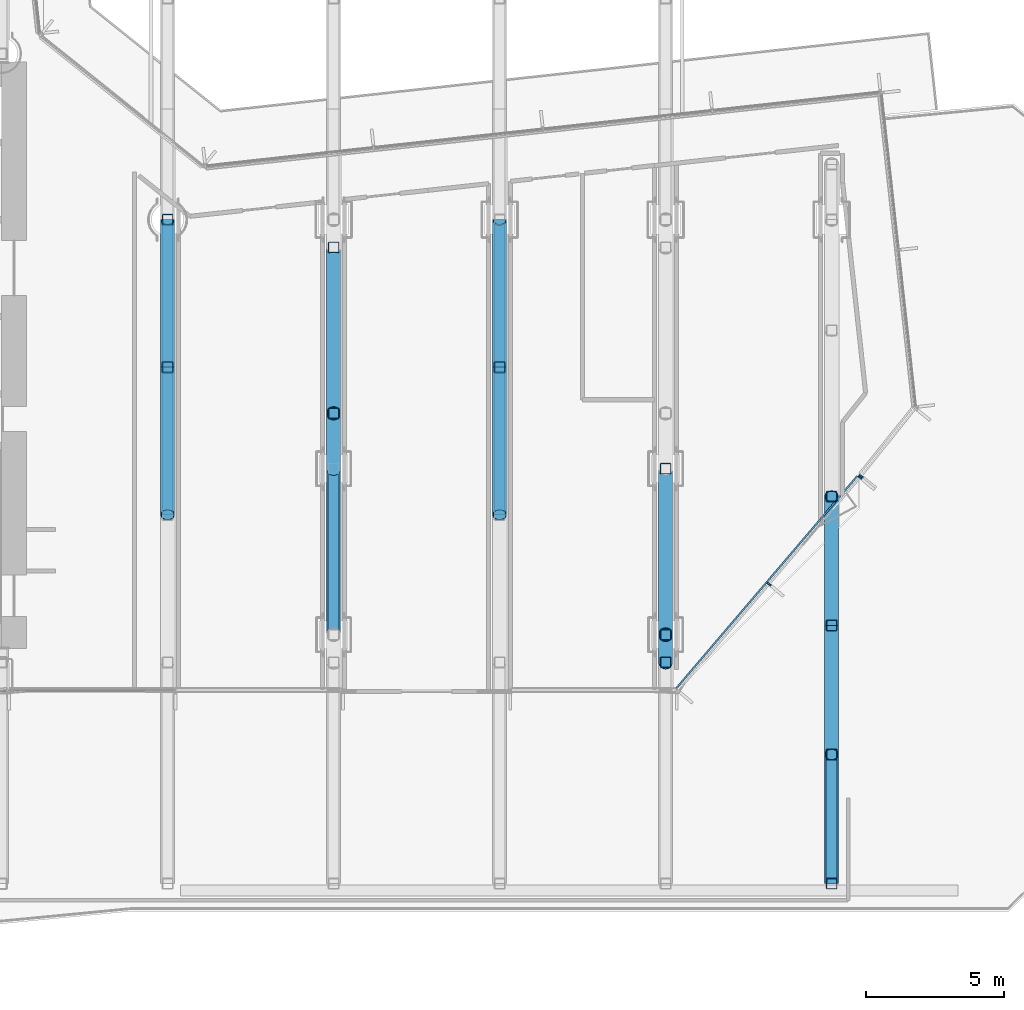
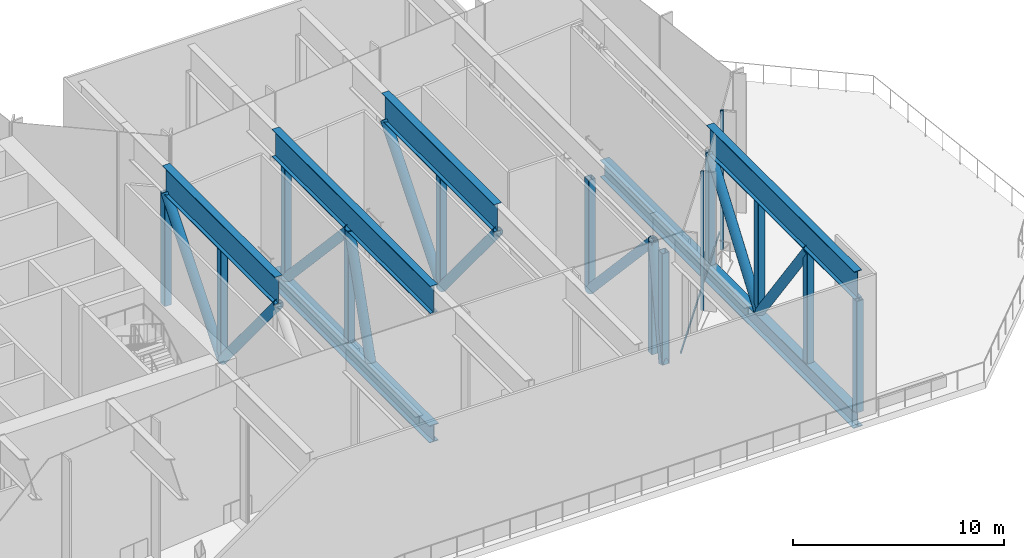
# One storey, part 4 of 25: 32 members, 2 elements without a shape of their own.
"""IFC4 building model written with IfcOpenShell, lengths in metres."""

from ifc_helpers import new_model, si_unit, direction, frame, origin, origin_2d, place, context, subcontext, project, spatial, rectangle, hollow_rectangle, hollow_circle, i_section, extrude, material, layer, layer_set, material_profile, profile_set, type_object, element, aggregate, save


model = new_model("IFC4")

# Units and contexts
model_context = context("Model", 3, precision=1e-05, world=origin(), true_north=direction((0.0, 1.0)))
body_context = subcontext(model_context, "Body", "Model", "MODEL_VIEW")
ifc_project = project(units=[si_unit("LENGTHUNIT", "METRE"), si_unit("AREAUNIT", "SQUARE_METRE"), si_unit("VOLUMEUNIT", "CUBIC_METRE"), si_unit("PLANEANGLEUNIT", "RADIAN"), si_unit("MASSUNIT", "GRAM", prefix="KILO")], contexts=[model_context])

# Site, building, storey
site_placement = place(None, origin())
site = spatial("IfcSite", under=ifc_project, at=site_placement, CompositionType="ELEMENT")
building_placement = place(site_placement, origin())
building = spatial("IfcBuilding", under=site, at=building_placement, Name="Welwitschia Terrace Campus", CompositionType="ELEMENT")
storey_placement = place(building_placement, frame((0.0, 0.0, 79.39990234375)))
storey = spatial("IfcBuildingStorey", under=building, at=storey_placement, Name="L18", CompositionType="ELEMENT", Elevation=79.39990234375)

# Curtain wall, members
ifc_material_1 = material(Name="Bronze anodised aluminium", Category="aluminium")
ifc_layer = layer(ifc_material_1, 0.159912109375)
ifc_layer_set = layer_set([ifc_layer], Name="Bronze anodised aluminium")
curtain_wall_type = type_object("IfcCurtainWallType", Name="Curtain wall CW3 commons 6000", PredefinedType="NOTDEFINED", material=ifc_layer_set)
curtain_wall_1_placement = place(storey_placement, origin())
curtain_wall_1 = element("IfcCurtainWall", 1, at=curtain_wall_1_placement, inside=storey, type_object=curtain_wall_type, Name="CW L18.9.0", PredefinedType="NOTDEFINED")
ifc_material_2 = material(Name="Bronze anodised aluminium", Category="aluminium")
ifc_material_profile_1 = material_profile(ifc_material_2, rectangle(XDim=0.159912109375, YDim=0.06005859375, at=origin_2d()))
ifc_profile_set_1 = profile_set([ifc_material_profile_1], Name="Bronze anodised aluminium")
member_type_1 = type_object("IfcMemberType", Name="Mullion 60x160", PredefinedType="MULLION", material=ifc_profile_set_1)
member_1_placement = place(storey_placement, frame((51.742431640625, 6.828125, 0.0), z_axis=(0.0, 0.0, 1.0), x_axis=(-0.760856459727, 0.648920216738, 0.0)))
member_1 = element("IfcMember", 2, at=member_1_placement, type_object=member_type_1, Name="Mullion L18.9.0.1", PredefinedType="MULLION", context=body_context, shape_type="SweptSolid", body=[
    extrude(rectangle(XDim=0.159912109375, YDim=0.06005859375, at=origin_2d()), origin(), (0.0, 0.0, 1.0), 8.050048828125),
])
member_2_placement = place(storey_placement, frame((55.030517578125, 10.683349609375, 0.0), z_axis=(0.0, 0.0, 1.0), x_axis=(-0.760856459727, 0.648920216738, 0.0)))
member_2 = element("IfcMember", 3, at=member_2_placement, type_object=member_type_1, Name="Mullion L18.9.0.2", PredefinedType="MULLION", context=body_context, shape_type="SweptSolid", body=[
    extrude(rectangle(XDim=0.159912109375, YDim=0.06005859375, at=origin_2d()), origin(), (0.0, 0.0, 1.0), 8.050048828125),
])

# Curtain wall, member
curtain_wall_2_placement = place(storey_placement, origin())
curtain_wall_2 = element("IfcCurtainWall", 4, at=curtain_wall_2_placement, inside=storey, type_object=curtain_wall_type, Name="CW L18.10.0", PredefinedType="NOTDEFINED")
member_3_placement = place(storey_placement, frame((55.06884765625, 10.7294921875, 0.0), z_axis=(0.0, 0.0, 1.0), x_axis=(-0.779884483093, 0.625923472184, 0.0)))
member_3 = element("IfcMember", 5, at=member_3_placement, type_object=member_type_1, Name="Mullion L18.10.0.0", PredefinedType="MULLION", context=body_context, shape_type="SweptSolid", body=[
    extrude(rectangle(XDim=0.159912109375, YDim=0.06005859375, at=origin_2d()), origin(), (0.0, 0.0, 1.0), 8.050048828125),
])
aggregate(curtain_wall_2, [member_3])

# Members
ifc_material_3 = material(Name="Steel S355", Category="steel")
ifc_material_profile_2 = material_profile(ifc_material_3, i_section(OverallWidth=0.5, OverallDepth=1.0, WebThickness=0.030029296875, FlangeThickness=0.0400390625, at=origin_2d()))
ifc_profile_set_2 = profile_set([ifc_material_profile_2], Name="Steel S355")
member_type_2 = type_object("IfcMemberType", Name="Transfer truss C1 bottom chord WI 1000x500x30x40", PredefinedType="CHORD", material=ifc_profile_set_2)
member_4_placement = place(storey_placement, frame((36.0, 5.0, -0.5), z_axis=(0.0, 1.0, 0.0), x_axis=(-1.0, 0.0, 0.0)))
element("IfcMember", 6, at=member_4_placement, inside=storey, type_object=member_type_2, Name="Truss bottom chord", PredefinedType="CHORD", context=body_context, shape_type="SweptSolid", body=[
    extrude(i_section(OverallWidth=0.5, OverallDepth=1.0, WebThickness=0.030029296875, FlangeThickness=0.0400390625, at=origin_2d()), origin(), (0.0, 0.0, 1.0), 15.0),
])
member_5_placement = place(storey_placement, frame((54.0, -4.0, -0.5), z_axis=(0.0, 1.0, 0.0), x_axis=(-1.0, 0.0, 0.0)))
element("IfcMember", 7, at=member_5_placement, inside=storey, type_object=member_type_2, Name="Truss bottom chord", PredefinedType="CHORD", context=body_context, shape_type="SweptSolid", body=[
    extrude(i_section(OverallWidth=0.5, OverallDepth=1.0, WebThickness=0.030029296875, FlangeThickness=0.0400390625, at=origin_2d()), origin(), (0.0, 0.0, 1.0), 24.0),
])
ifc_material_4 = material(Name="Steel S355", Category="steel")
ifc_material_profile_3 = material_profile(ifc_material_4, hollow_circle(Radius=0.25390625, WallThickness=0.02490234375, at=origin_2d()))
ifc_profile_set_3 = profile_set([ifc_material_profile_3], Name="Steel S355")
member_type_3 = type_object("IfcMemberType", Name="Transfer truss C1 diagonal CHS 508x25", PredefinedType="BRACE", material=ifc_profile_set_3)
member_6_placement = place(storey_placement, frame((30.0, 14.666015625, 0.0), z_axis=(0.0, -0.637207054349, 0.770692655919), x_axis=(1.0, 0.0, 0.0)))
element("IfcMember", 8, at=member_6_placement, inside=storey, type_object=member_type_3, Name="Truss diagonal", PredefinedType="BRACE", context=body_context, shape_type="SweptSolid", body=[
    extrude(hollow_circle(Radius=0.25390625, WallThickness=0.02490234375, at=origin_2d()), origin(), (0.0, 0.0, 1.0), 8.369384765625),
])
member_7_placement = place(storey_placement, frame((30.0, 14.666015625, 0.0), z_axis=(0.0, 0.637276352621, 0.770635355009), x_axis=(-1.0, 0.0, 0.0)))
element("IfcMember", 9, at=member_7_placement, inside=storey, type_object=member_type_3, Name="Truss diagonal", PredefinedType="BRACE", context=body_context, shape_type="SweptSolid", body=[
    extrude(hollow_circle(Radius=0.25390625, WallThickness=0.02490234375, at=origin_2d()), origin(), (0.0, 0.0, 1.0), 8.369873046875),
])
member_8_placement = place(storey_placement, frame((36.0, 11.0, 0.0), z_axis=(0.0, 0.296158139039, 0.955138920095), x_axis=(-1.0, 0.0, 0.0)))
element("IfcMember", 10, at=member_8_placement, inside=storey, type_object=member_type_3, Name="Truss diagonal", PredefinedType="BRACE", context=body_context, shape_type="SweptSolid", body=[
    extrude(hollow_circle(Radius=0.25390625, WallThickness=0.02490234375, at=origin_2d()), origin(), (0.0, 0.0, 1.0), 6.753173828125),
])
member_9_placement = place(storey_placement, frame((36.0, 19.0, 0.0), z_axis=(0.0, -0.681092885831, 0.73219702326), x_axis=(1.0, 0.0, 0.0)))
element("IfcMember", 11, at=member_9_placement, inside=storey, type_object=member_type_3, Name="Truss diagonal", PredefinedType="BRACE", context=body_context, shape_type="SweptSolid", body=[
    extrude(hollow_circle(Radius=0.25390625, WallThickness=0.02490234375, at=origin_2d()), origin(), (0.0, 0.0, 1.0), 8.809326171875),
])
member_10_placement = place(storey_placement, frame((42.0, 14.666015625, 0.0), z_axis=(0.0, -0.637207054349, 0.770692655919), x_axis=(1.0, 0.0, 0.0)))
element("IfcMember", 12, at=member_10_placement, inside=storey, type_object=member_type_3, Name="Truss diagonal", PredefinedType="BRACE", context=body_context, shape_type="SweptSolid", body=[
    extrude(hollow_circle(Radius=0.25390625, WallThickness=0.02490234375, at=origin_2d()), origin(), (0.0, 0.0, 1.0), 8.369384765625),
])
member_11_placement = place(storey_placement, frame((42.0, 14.666015625, 0.0), z_axis=(0.0, 0.637276352621, 0.770635355009), x_axis=(-1.0, 0.0, 0.0)))
element("IfcMember", 13, at=member_11_placement, inside=storey, type_object=member_type_3, Name="Truss diagonal", PredefinedType="BRACE", context=body_context, shape_type="SweptSolid", body=[
    extrude(hollow_circle(Radius=0.25390625, WallThickness=0.02490234375, at=origin_2d()), origin(), (0.0, 0.0, 1.0), 8.369873046875),
])
member_12_placement = place(storey_placement, frame((48.0, 4.0, 0.0), z_axis=(0.0, 0.153203827501, 0.988194610003), x_axis=(-1.0, 0.0, 0.0)))
element("IfcMember", 14, at=member_12_placement, inside=storey, type_object=member_type_3, Name="Truss diagonal", PredefinedType="BRACE", context=body_context, shape_type="SweptSolid", body=[
    extrude(hollow_circle(Radius=0.25390625, WallThickness=0.02490234375, at=origin_2d()), origin(), (0.0, 0.0, 1.0), 6.52734375),
])
member_13_placement = place(storey_placement, frame((48.0, 11.0, 0.0), z_axis=(0.0, -0.681092885831, 0.73219702326), x_axis=(1.0, 0.0, 0.0)))
element("IfcMember", 15, at=member_13_placement, inside=storey, type_object=member_type_3, Name="Truss diagonal", PredefinedType="BRACE", context=body_context, shape_type="SweptSolid", body=[
    extrude(hollow_circle(Radius=0.25390625, WallThickness=0.02490234375, at=origin_2d()), origin(), (0.0, 0.0, 1.0), 8.809326171875),
])
member_14_placement = place(storey_placement, frame((54.0, 5.333984375, 0.0), z_axis=(0.0, -0.586193453174, 0.810171114923), x_axis=(1.0, 0.0, 0.0)))
element("IfcMember", 16, at=member_14_placement, inside=storey, type_object=member_type_3, Name="Truss diagonal", PredefinedType="BRACE", context=body_context, shape_type="SweptSolid", body=[
    extrude(hollow_circle(Radius=0.25390625, WallThickness=0.02490234375, at=origin_2d()), origin(), (0.0, 0.0, 1.0), 7.96142578125),
])
member_15_placement = place(storey_placement, frame((54.0, 5.333984375, 0.0), z_axis=(0.0, 0.586112933078, 0.810229368561), x_axis=(-1.0, 0.0, 0.0)))
element("IfcMember", 17, at=member_15_placement, inside=storey, type_object=member_type_3, Name="Truss diagonal", PredefinedType="BRACE", context=body_context, shape_type="SweptSolid", body=[
    extrude(hollow_circle(Radius=0.25390625, WallThickness=0.02490234375, at=origin_2d()), origin(), (0.0, 0.0, 1.0), 7.9609375),
])
ifc_material_5 = material(Name="Steel S355", Category="steel")
ifc_material_profile_4 = material_profile(ifc_material_5, hollow_rectangle(XDim=0.39990234375, YDim=0.39990234375, WallThickness=0.02490234375, InnerFilletRadius=0.02490234375, OuterFilletRadius=0.03759765625, at=origin_2d()))
ifc_profile_set_4 = profile_set([ifc_material_profile_4], Name="Steel S355")
member_type_4 = type_object("IfcMemberType", Name="Transfer truss C1 post SHS 400x400x25", PredefinedType="POST", material=ifc_profile_set_4)
for number, where, z_axis, x_axis, name in (
    (18, (30.0, 14.666015625, 0.0), (0.0, 0.0, 1.0), (1.0, 0.0, 0.0), "Truss post"),
    (19, (30.0, 20.0, 0.0), (0.0, 0.0, 1.0), (1.0, 0.0, 0.0), "Truss post"),
    (20, (36.0, 13.0, 0.0), (0.0, 0.0, 1.0), (1.0, 0.0, 0.0), "Truss post"),
    (21, (36.0, 19.0, 0.0), (0.0, 0.0, 1.0), (1.0, 0.0, 0.0), "Truss post"),
    (22, (42.0, 14.666015625, 0.0), (0.0, 0.0, 1.0), (1.0, 0.0, 0.0), "Truss post"),
    (23, (48.0, 4.0, 0.0), (0.0, 0.0, 1.0), (1.0, 0.0, 0.0), "Truss post"),
    (24, (48.0, 5.0, 0.0), (0.0, 0.0, 1.0), (1.0, 0.0, 0.0), "Truss post"),
    (25, (48.0, 11.0, 0.0), (0.0, 0.0, 1.0), (1.0, 0.0, 0.0), "Truss post"),
    (26, (54.0, -4.0, 0.0), (0.0, 0.0, 1.0), (1.0, 0.0, 0.0), "Truss post"),
    (27, (54.0, 0.6669921875, 0.0), (0.0, 0.0, 1.0), (1.0, 0.0, 0.0), "Truss post"),
    (28, (54.0, 5.333984375, 0.0), (0.0, 0.0, 1.0), (1.0, 0.0, 0.0), "Truss post"),
    (29, (54.0, 10.0, 0.0), (0.0, 0.0, 1.0), (1.0, 0.0, 0.0), "Truss post"),
):
    element("IfcMember", number, at=place(storey_placement, frame(where, z_axis=z_axis, x_axis=x_axis)), inside=storey, type_object=member_type_4, Name=name, PredefinedType="POST", context=body_context, shape_type="SweptSolid", body=[
        extrude(hollow_rectangle(XDim=0.39990234375, YDim=0.39990234375, WallThickness=0.02490234375, InnerFilletRadius=0.02490234375, OuterFilletRadius=0.03759765625, at=origin_2d()), origin(), (0.0, 0.0, 1.0), 6.4501953125),
    ])
ifc_material_6 = material(Name="Steel S355", Category="steel")
ifc_material_profile_5 = material_profile(ifc_material_6, i_section(OverallWidth=0.39990234375, OverallDepth=1.60009765625, WebThickness=0.030029296875, FlangeThickness=0.0400390625, at=origin_2d()))
ifc_profile_set_5 = profile_set([ifc_material_profile_5], Name="Steel S355")
member_type_5 = type_object("IfcMemberType", Name="Transfer truss C1 top chord WI 1600x400x30x40", PredefinedType="CHORD", material=ifc_profile_set_5)
member_16_placement = place(storey_placement, frame((30.0, 9.3330078125, 7.25), z_axis=(0.0, 1.0, 0.0), x_axis=(-1.0, 0.0, 0.0)))
element("IfcMember", 30, at=member_16_placement, inside=storey, type_object=member_type_5, Name="Truss top chord", PredefinedType="CHORD", context=body_context, shape_type="SweptSolid", body=[
    extrude(i_section(OverallWidth=0.39990234375, OverallDepth=1.60009765625, WebThickness=0.030029296875, FlangeThickness=0.0400390625, at=origin_2d()), origin(), (0.0, 0.0, 1.0), 10.6669921875),
])
member_17_placement = place(storey_placement, frame((36.0, 5.0, 7.25), z_axis=(0.0, 1.0, 0.0), x_axis=(-1.0, 0.0, 0.0)))
element("IfcMember", 31, at=member_17_placement, inside=storey, type_object=member_type_5, Name="Truss top chord", PredefinedType="CHORD", context=body_context, shape_type="SweptSolid", body=[
    extrude(i_section(OverallWidth=0.39990234375, OverallDepth=1.60009765625, WebThickness=0.030029296875, FlangeThickness=0.0400390625, at=origin_2d()), origin(), (0.0, 0.0, 1.0), 15.0),
])
member_18_placement = place(storey_placement, frame((42.0, 9.3330078125, 7.25), z_axis=(0.0, 1.0, 0.0), x_axis=(-1.0, 0.0, 0.0)))
element("IfcMember", 32, at=member_18_placement, inside=storey, type_object=member_type_5, Name="Truss top chord", PredefinedType="CHORD", context=body_context, shape_type="SweptSolid", body=[
    extrude(i_section(OverallWidth=0.39990234375, OverallDepth=1.60009765625, WebThickness=0.030029296875, FlangeThickness=0.0400390625, at=origin_2d()), origin(), (0.0, 0.0, 1.0), 10.6669921875),
])
member_19_placement = place(storey_placement, frame((54.0, -4.0, 7.25), z_axis=(0.0, 1.0, 0.0), x_axis=(-1.0, 0.0, 0.0)))
element("IfcMember", 33, at=member_19_placement, inside=storey, type_object=member_type_5, Name="Truss top chord", PredefinedType="CHORD", context=body_context, shape_type="SweptSolid", body=[
    extrude(i_section(OverallWidth=0.39990234375, OverallDepth=1.60009765625, WebThickness=0.030029296875, FlangeThickness=0.0400390625, at=origin_2d()), origin(), (0.0, 0.0, 1.0), 14.0),
])

# Member
ifc_material_7 = material(Name="Bronze anodised aluminium", Category="aluminium")
ifc_material_profile_6 = material_profile(ifc_material_7, rectangle(XDim=0.06005859375, YDim=0.14990234375, at=origin_2d()))
ifc_profile_set_6 = profile_set([ifc_material_profile_6], Name="Bronze anodised aluminium")
member_type_6 = type_object("IfcMemberType", Name="Transom 60x150", PredefinedType="USERDEFINED", material=ifc_profile_set_6)
member_20_placement = place(storey_placement, frame((48.39013671875, 3.067138671875, 1.0), z_axis=(0.648931339455, 0.76084697323, 0.0), x_axis=(-0.76084697323, 0.648931339455, 0.0)))
member_20 = element("IfcMember", 34, at=member_20_placement, type_object=member_type_6, Name="Transom L18.9.0", ObjectType="TRANSOM", PredefinedType="USERDEFINED", context=body_context, shape_type="SweptSolid", body=[
    extrude(rectangle(XDim=0.06005859375, YDim=0.14990234375, at=origin_2d()), origin(), (0.0, 0.0, 1.0), 10.073974609375),
])

aggregate(curtain_wall_1, [member_1, member_2, member_20])

save(model, "model.ifc")
